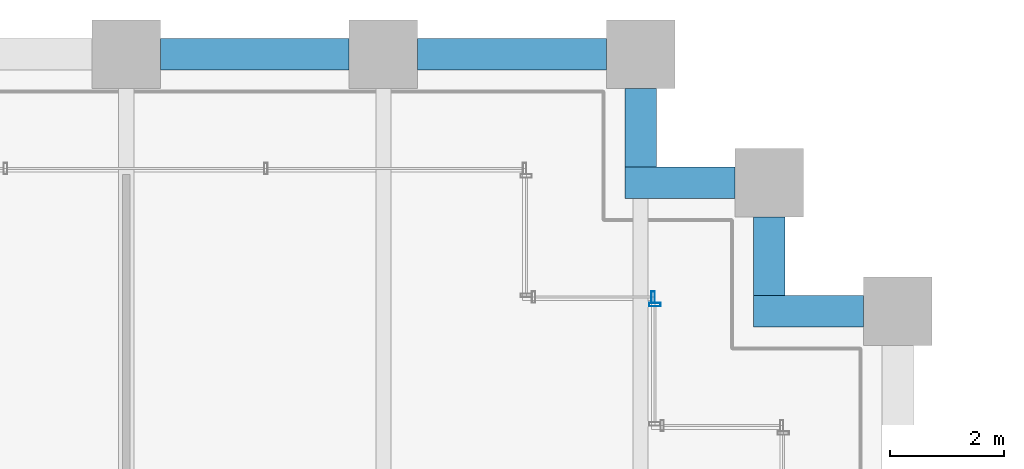
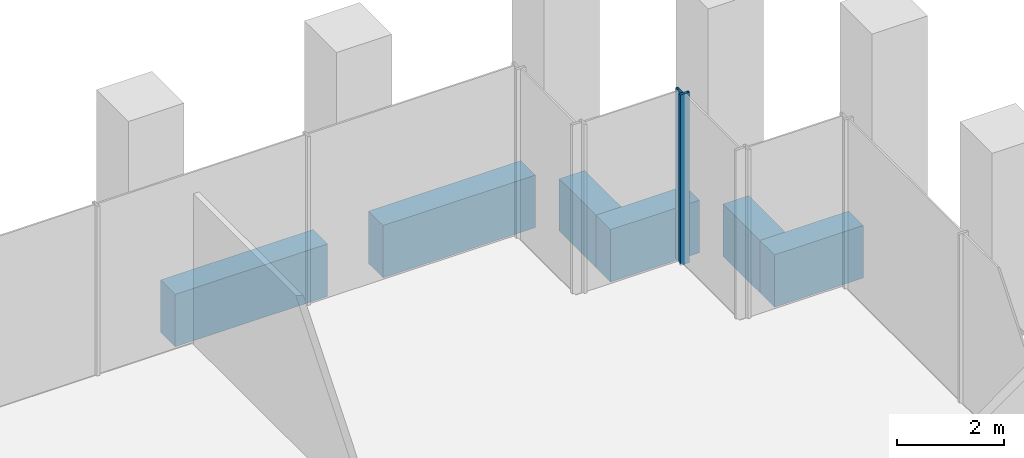
# One storey, part 18 of 36: 6 beams, 2 members, 2 elements without a shape of their own.
"""IFC4 building model written with IfcOpenShell, lengths in metres."""

from ifc_helpers import new_model, si_unit, direction, frame, origin, origin_2d, place, context, subcontext, project, spatial, rectangle, hollow_rectangle, extrude, material, material_profile, profile_set, type_object, element, aggregate, save


model = new_model("IFC4")

# Units and contexts
model_context = context("Model", 3, precision=1e-05, world=origin(), true_north=direction((0.0, 1.0)))
body_context = subcontext(model_context, "Body", "Model", "MODEL_VIEW")
ifc_project = project(units=[si_unit("LENGTHUNIT", "METRE"), si_unit("AREAUNIT", "SQUARE_METRE"), si_unit("VOLUMEUNIT", "CUBIC_METRE"), si_unit("PLANEANGLEUNIT", "RADIAN"), si_unit("MASSUNIT", "GRAM", prefix="KILO")], contexts=[model_context])

# Site, building, storey
site_placement = place(None, origin())
site = spatial("IfcSite", under=ifc_project, at=site_placement, CompositionType="ELEMENT")
building_placement = place(site_placement, origin())
building = spatial("IfcBuilding", under=site, at=building_placement, Name="Altepetl Exchange Towers", CompositionType="ELEMENT")
storey_placement = place(building_placement, frame((0.0, 0.0, 25.39990234375)))
storey = spatial("IfcBuildingStorey", under=building, at=storey_placement, Name="L05", CompositionType="ELEMENT", Elevation=25.39990234375)

# Curtain wall, member
ifc_material_1 = material(Name="Aluminium 6063-T6 glazing", Category="aluminium")
curtain_wall_type = type_object("IfcCurtainWallType", Name="Trading floor glazing system", PredefinedType="NOTDEFINED", material=ifc_material_1)
curtain_wall_1_placement = place(storey_placement, origin())
curtain_wall_1 = element("IfcCurtainWall", 1, at=curtain_wall_1_placement, inside=storey, type_object=curtain_wall_type, Name="CW2 run", PredefinedType="NOTDEFINED")
ifc_material_2 = material(Name="Aluminium 6063-T6", Category="aluminium")
ifc_material_profile_1 = material_profile(ifc_material_2, hollow_rectangle(XDim=0.06005859375, YDim=0.199951171875, WallThickness=0.0029296875, at=origin_2d()), Name="Mullion 60x200 aluminium")
ifc_profile_set_1 = profile_set([ifc_material_profile_1], Name="Aluminium 6063-T6")
member_type = type_object("IfcMemberType", Name="Mullion 60x200 aluminium", PredefinedType="MULLION", material=ifc_profile_set_1)
member_1_placement = place(storey_placement, frame((67.75, 67.6201171875, 0.0), z_axis=(0.0, 0.0, 1.0), x_axis=(0.0, 1.0, 0.0)))
member_1 = element("IfcMember", 2, at=member_1_placement, type_object=member_type, Name="MU2 mullion", PredefinedType="MULLION", context=body_context, shape_type="SweptSolid", body=[
    extrude(hollow_rectangle(XDim=0.06005859375, YDim=0.199951171875, WallThickness=0.0029296875, at=origin_2d()), origin(), (0.0, 0.0, 1.0), 3.900146484375),
])
aggregate(curtain_wall_1, [member_1])

curtain_wall_2_placement = place(storey_placement, origin())
curtain_wall_2 = element("IfcCurtainWall", 3, at=curtain_wall_2_placement, inside=storey, type_object=curtain_wall_type, Name="CW2 run", PredefinedType="NOTDEFINED")
member_2_placement = place(storey_placement, frame((67.719970703125, 67.75, 0.0), z_axis=(0.0, 0.0, 1.0), x_axis=(-1.0, 0.0, 0.0)))
member_2 = element("IfcMember", 4, at=member_2_placement, type_object=member_type, Name="MU2 mullion", PredefinedType="MULLION", context=body_context, shape_type="SweptSolid", body=[
    extrude(hollow_rectangle(XDim=0.06005859375, YDim=0.199951171875, WallThickness=0.0029296875, at=origin_2d()), origin(), (0.0, 0.0, 1.0), 3.900146484375),
])
aggregate(curtain_wall_2, [member_2])

# Beams
ifc_material_3 = material(Name="Concrete C50/60 precast with cantera rosa facing", Category="concrete")
ifc_material_profile_2 = material_profile(ifc_material_3, rectangle(XDim=0.550048828125, YDim=1.199951171875, at=origin_2d()), Name="550 x 1200")
ifc_profile_set_2 = profile_set([ifc_material_profile_2], Name="Concrete C50/60 precast with cantera rosa facing")
beam_type = type_object("IfcBeamType", Name="Spandrel beam 550x1200 cantera rosa", PredefinedType="SPANDREL", material=ifc_profile_set_2)
beam_1_placement = place(storey_placement, frame((71.39990234375, 67.5, -0.77490234375), z_axis=(-1.0, 0.0, 0.0), x_axis=(0.0, -1.0, 0.0)))
element("IfcBeam", 5, at=beam_1_placement, inside=storey, type_object=beam_type, Name="sp:A:L05:020", PredefinedType="SPANDREL", context=body_context, shape_type="SweptSolid", body=[
    extrude(rectangle(XDim=0.550048828125, YDim=1.199951171875, at=origin_2d()), origin(), (0.0, 0.0, 1.0), 1.9248046875),
])
beam_2_placement = place(storey_placement, frame((69.75, 67.77490234375, -0.77490234375), z_axis=(0.0, 1.0, 0.0), x_axis=(-1.0, 0.0, 0.0)))
element("IfcBeam", 6, at=beam_2_placement, inside=storey, type_object=beam_type, Name="sp:A:L05:021", PredefinedType="SPANDREL", context=body_context, shape_type="SweptSolid", body=[
    extrude(rectangle(XDim=0.550048828125, YDim=1.199951171875, at=origin_2d()), origin(), (0.0, 0.0, 1.0), 1.375),
])
beam_3_placement = place(storey_placement, frame((69.14990234375, 69.75, -0.77490234375), z_axis=(-1.0, 0.0, 0.0), x_axis=(0.0, -1.0, 0.0)))
element("IfcBeam", 7, at=beam_3_placement, inside=storey, type_object=beam_type, Name="sp:A:L05:022", PredefinedType="SPANDREL", context=body_context, shape_type="SweptSolid", body=[
    extrude(rectangle(XDim=0.550048828125, YDim=1.199951171875, at=origin_2d()), origin(), (0.0, 0.0, 1.0), 1.9248046875),
])
beam_4_placement = place(storey_placement, frame((67.5, 70.02490234375, -0.77490234375), z_axis=(0.0, 1.0, 0.0), x_axis=(-1.0, 0.0, 0.0)))
element("IfcBeam", 8, at=beam_4_placement, inside=storey, type_object=beam_type, Name="sp:A:L05:023", PredefinedType="SPANDREL", context=body_context, shape_type="SweptSolid", body=[
    extrude(rectangle(XDim=0.550048828125, YDim=1.199951171875, at=origin_2d()), origin(), (0.0, 0.0, 1.0), 1.375),
])
for number, where, z_axis, x_axis, name in (
    (9, (66.89990234375, 72.0, -0.77490234375), (-1.0, 0.0, 0.0), (0.0, -1.0, 0.0), "sp:A:L05:024"),
    (10, (62.39990234375, 72.0, -0.77490234375), (-1.0, 0.0, 0.0), (0.0, -1.0, 0.0), "sp:A:L05:025"),
):
    element("IfcBeam", number, at=place(storey_placement, frame(where, z_axis=z_axis, x_axis=x_axis)), inside=storey, type_object=beam_type, Name=name, PredefinedType="SPANDREL", context=body_context, shape_type="SweptSolid", body=[
        extrude(rectangle(XDim=0.550048828125, YDim=1.199951171875, at=origin_2d()), origin(), (0.0, 0.0, 1.0), 3.2998046875),
    ])

save(model, "model.ifc")
